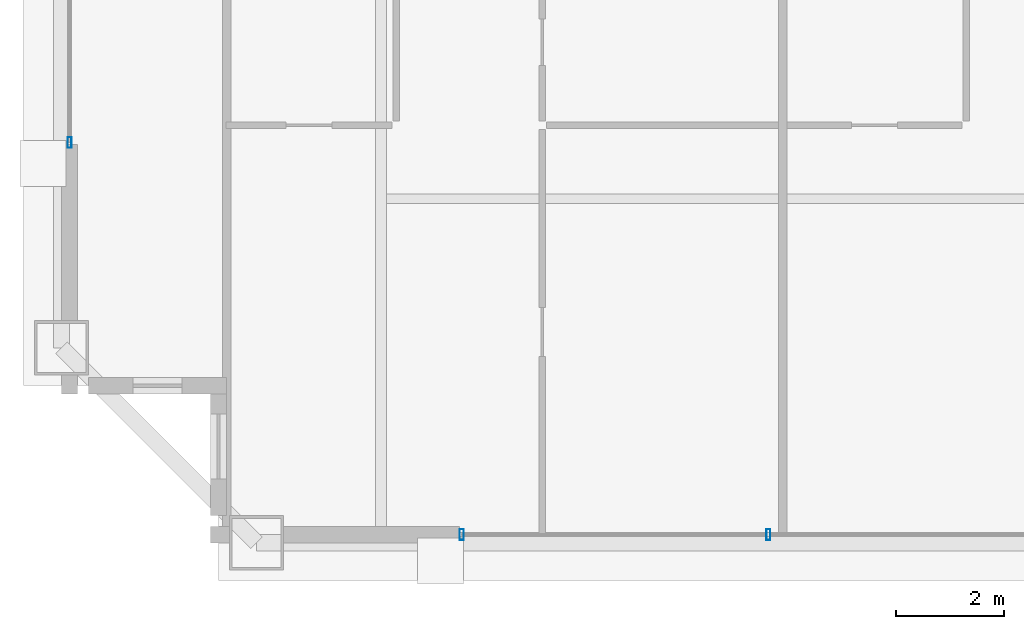
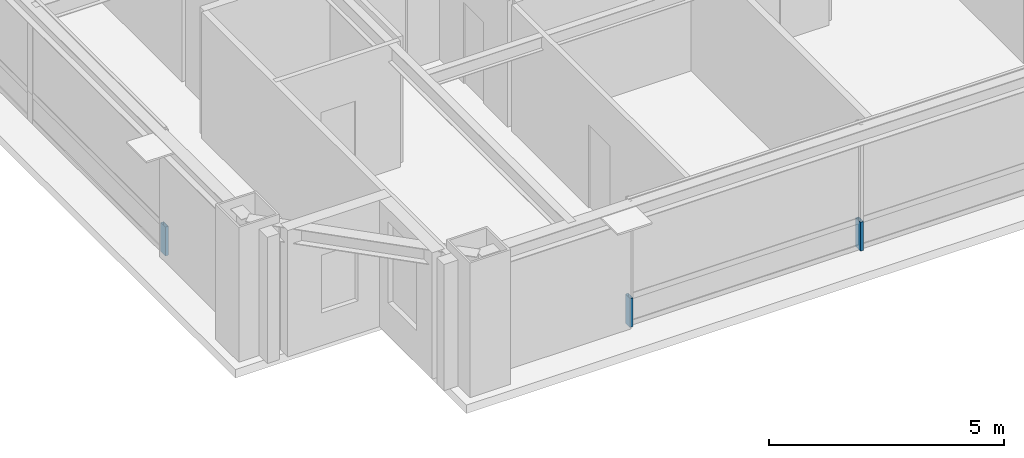
# One storey, part 21 of 35: 3 members, 2 elements without a shape of their own.
"""IFC4 building model written with IfcOpenShell, lengths in metres."""

import ifcopenshell
import ifcopenshell.guid

model = None  # the IFC model being written
_history = None  # IfcOwnerHistory: only IFC2X3 demands one
_inside = {}  # id of a spatial element -> (the spatial element, [elements in it])
_under = {}  # id of a project, library or spatial element -> (it, [spatial elements below it])
_declared = {}  # id of a project -> (the project, [libraries it declares])
_typed = {}  # id of a type object -> (the type object, [elements of that type])
_made_of = {}  # id of a material, layer set ... -> (it, [elements and type objects made of it])


def new_model(schema):
    """Start an empty IFC model of exactly this schema.

    Asked for "IFC4X3", IfcOpenShell would pick the latest addendum, in which some entities
    have other attributes; the version numbers below select the first issue.
    IFC2X3 requires an IfcOwnerHistory on every rooted entity: one is made here for all.
    """
    global model, _history
    if schema == "IFC4X3":
        model = ifcopenshell.file(schema_version=(4, 3, 0, 0))
    else:
        model = ifcopenshell.file(schema=schema)
    _inside.clear()
    _under.clear()
    _declared.clear()
    _typed.clear()
    _made_of.clear()
    _history = None
    if model.schema == "IFC2X3":
        org = make("IfcOrganization", Name="unknown")
        user = make(
            "IfcPersonAndOrganization",
            ThePerson=make("IfcPerson", FamilyName="unknown"),
            TheOrganization=org,
        )
        app = make(
            "IfcApplication",
            ApplicationDeveloper=org,
            Version="unknown",
            ApplicationFullName="unknown",
            ApplicationIdentifier="unknown",
        )
        _history = make(
            "IfcOwnerHistory",
            OwningUser=user,
            OwningApplication=app,
            ChangeAction="ADDED",
            CreationDate=0,
        )
    return model


def make(cls, **values):
    """One entity of the class cls with the attributes given. An attribute that is None is left unset."""
    return model.create_entity(
        cls, **{name: value for name, value in values.items() if value is not None}
    )


def rooted(cls, **values):
    """An entity with a GlobalId (a new one), such as an element, a storey or a relation."""
    return make(cls, GlobalId=ifcopenshell.guid.new(), OwnerHistory=_history, **values)


def si_unit(unit_type, name, prefix=None):
    """IfcSIUnit, for example si_unit("LENGTHUNIT", "METRE", prefix="MILLI")."""
    return make("IfcSIUnit", UnitType=unit_type, Prefix=prefix, Name=name)


def assignment(units):
    """IfcUnitAssignment: the units of a project."""
    return None if units is None else make("IfcUnitAssignment", Units=units)


def point(xyz):
    """IfcCartesianPoint."""
    return None if xyz is None else make("IfcCartesianPoint", Coordinates=xyz)


def direction(xyz):
    """IfcDirection."""
    return None if xyz is None else make("IfcDirection", DirectionRatios=xyz)


def frame(location, z_axis=None, x_axis=None):
    """IfcAxis2Placement3D, a coordinate frame: its origin and axes. An axis left out is left unset."""
    return make(
        "IfcAxis2Placement3D",
        Location=point(location),
        Axis=direction(z_axis),
        RefDirection=direction(x_axis),
    )


def frame_2d(location, x_axis=None):
    """IfcAxis2Placement2D, a coordinate frame in the plane: its origin and x axis."""
    return make(
        "IfcAxis2Placement2D", Location=point(location), RefDirection=direction(x_axis)
    )


def origin():
    """The frame at (0, 0, 0) with its axes left unset."""
    return frame((0.0, 0.0, 0.0))


def origin_2d():
    """The frame at (0, 0) in the plane with its x axis left unset."""
    return frame_2d((0.0, 0.0))


def place(relative_to, where):
    """IfcLocalPlacement: puts the frame where relative to a parent placement (None: the world)."""
    return make(
        "IfcLocalPlacement", PlacementRelTo=relative_to, RelativePlacement=where
    )


def context(
    kind, dimensions, precision=None, world=None, true_north=None, identifier=None
):
    """IfcGeometricRepresentationContext, for example the 3D "Model" context."""
    return make(
        "IfcGeometricRepresentationContext",
        ContextIdentifier=identifier,
        ContextType=kind,
        CoordinateSpaceDimension=dimensions,
        Precision=precision,
        WorldCoordinateSystem=world,
        TrueNorth=true_north,
    )


def subcontext(parent, identifier, kind, view, scale=None):
    """IfcGeometricRepresentationSubContext, for example "Body" below "Model"."""
    return make(
        "IfcGeometricRepresentationSubContext",
        ContextIdentifier=identifier,
        ContextType=kind,
        ParentContext=parent,
        TargetScale=scale,
        TargetView=view,
    )


def project(units=None, contexts=None):
    """IfcProject with its units and contexts."""
    return rooted(
        "IfcProject",
        Name="project",
        RepresentationContexts=contexts,
        UnitsInContext=assignment(units),
    )


def spatial(cls, under=None, at=None, **own):
    """A site, building, storey or space (cls), placed at a placement, below another one or the project."""
    s = rooted(cls, ObjectPlacement=at, **own)
    if under is not None:
        _under.setdefault(under.id(), (under, []))[1].append(s)
    return s


def profile(cls, at=None, kind="AREA", **sizes):
    """A parametric profile (cls). Its sizes go by their IFC names, for example OverallWidth=200.0."""
    return make(cls, ProfileType=kind, Position=at, **sizes)


def hollow_rectangle(**sizes):
    """IfcRectangleHollowProfileDef."""
    return profile("IfcRectangleHollowProfileDef", **sizes)


def extrude(swept, where, along, depth):
    """IfcExtrudedAreaSolid: the profile swept, set in the frame where, extruded along a direction by depth."""
    return make(
        "IfcExtrudedAreaSolid",
        SweptArea=swept,
        Position=where,
        ExtrudedDirection=direction(along),
        Depth=depth,
    )


def shape(context_of_items, identifier, shape_type, items):
    """IfcShapeRepresentation: the items that make up one representation, for example the "Body"."""
    return make(
        "IfcShapeRepresentation",
        ContextOfItems=context_of_items,
        RepresentationIdentifier=identifier,
        RepresentationType=shape_type,
        Items=items,
    )


def source(mapping_origin, context_of_items, identifier, shape_type, items):
    """IfcRepresentationMap: a shape defined once, which mapped items show again and again."""
    return make(
        "IfcRepresentationMap",
        MappingOrigin=mapping_origin,
        MappedRepresentation=shape(context_of_items, identifier, shape_type, items),
    )


def transform(
    local_origin,
    x_axis=None,
    y_axis=None,
    z_axis=None,
    scale=None,
    scale2=None,
    scale3=None,
    uniform=True,
):
    """IfcCartesianTransformationOperator3D, or its non-uniform kind. x_axis, y_axis, z_axis: its Axis1, 2, 3."""
    if uniform:
        return make(
            "IfcCartesianTransformationOperator3D",
            Axis1=direction(x_axis),
            Axis2=direction(y_axis),
            LocalOrigin=point(local_origin),
            Scale=scale,
            Axis3=direction(z_axis),
        )
    return make(
        "IfcCartesianTransformationOperator3DnonUniform",
        Axis1=direction(x_axis),
        Axis2=direction(y_axis),
        LocalOrigin=point(local_origin),
        Scale=scale,
        Axis3=direction(z_axis),
        Scale2=scale2,
        Scale3=scale3,
    )


def mapped(mapping_source, mapping_target):
    """IfcMappedItem: shows the shape of a source again, moved by a transform."""
    return make(
        "IfcMappedItem", MappingSource=mapping_source, MappingTarget=mapping_target
    )


def material(Name=None, Category=None):
    """IfcMaterial."""
    return make("IfcMaterial", Name=Name, Category=Category)


def layer(
    of_material, thickness, ventilated=None, Name=None, Category=None, Priority=None
):
    """IfcMaterialLayer: one layer of a wall or slab, of a material (None: an air gap)."""
    return make(
        "IfcMaterialLayer",
        Material=of_material,
        LayerThickness=thickness,
        IsVentilated=ventilated,
        Name=Name,
        Category=Category,
        Priority=Priority,
    )


def layer_set(layers, Name=None):
    """IfcMaterialLayerSet."""
    return make("IfcMaterialLayerSet", MaterialLayers=layers, LayerSetName=Name)


def material_profile(
    of_material, cross_section, Name=None, Category=None, Priority=None
):
    """IfcMaterialProfile: a cross section and its material."""
    return make(
        "IfcMaterialProfile",
        Name=Name,
        Material=of_material,
        Profile=cross_section,
        Priority=Priority,
        Category=Category,
    )


def profile_set(profiles, Name=None, composite=None):
    """IfcMaterialProfileSet."""
    return make(
        "IfcMaterialProfileSet",
        Name=Name,
        MaterialProfiles=profiles,
        CompositeProfile=composite,
    )


def made_of(thing, what):
    """Note that an element or type object is made of a material, layer set ...; save() writes the relation."""
    if what is not None:
        _made_of.setdefault(what.id(), (what, []))[1].append(thing)
    return thing


def type_object(cls, material=None, **own):
    """A type object (cls), such as IfcWallType, which elements share."""
    return made_of(rooted(cls, **own), material)


def element(
    cls,
    number,
    at=None,
    inside=None,
    cuts=None,
    type_object=None,
    material=None,
    context=None,
    identifier="Body",
    shape_type=None,
    held_by="IfcProductDefinitionShape",
    body=None,
    shapes=None,
    **own,
):
    """One element of the class cls, such as IfcWall. Its Tag is "e" and its number.

    at: its placement. inside: the storey or other place that contains it. cuts: it is an
    opening in that element (IfcRelVoidsElement). A single representation is given by context,
    identifier, shape_type and body (its items); several are given by shapes. held_by: the class
    of the entity that holds the representations. save() writes the other relations.
    """
    e = rooted(cls, Tag="e%d" % number, ObjectPlacement=at, **own)
    if body is not None:
        shapes = [shape(context, identifier, shape_type, body)]
    if shapes is not None:
        e.Representation = make(held_by, Representations=shapes)
    if inside is not None:
        _inside.setdefault(inside.id(), (inside, []))[1].append(e)
    if cuts is not None:
        rooted(
            "IfcRelVoidsElement", RelatingBuildingElement=cuts, RelatedOpeningElement=e
        )
    if type_object is not None:
        _typed.setdefault(type_object.id(), (type_object, []))[1].append(e)
    return made_of(e, material)


def aggregate(whole, parts):
    """IfcRelAggregates: a whole, such as a stair, and the parts it consists of."""
    return rooted("IfcRelAggregates", RelatingObject=whole, RelatedObjects=parts)


def save(model, path):
    """Write the relations noted so far, then the file.

    IfcRelAggregates (storeys below a building ...), IfcRelContainedInSpatialStructure (elements
    in a storey), IfcRelDefinesByType, IfcRelAssociatesMaterial and IfcRelDeclares: one each for
    every whole, place, type object, material and project.
    """
    for whole, parts in _under.values():
        aggregate(whole, parts)
    for where, things in _inside.values():
        rooted(
            "IfcRelContainedInSpatialStructure",
            RelatedElements=things,
            RelatingStructure=where,
        )
    for kind, things in _typed.values():
        rooted("IfcRelDefinesByType", RelatedObjects=things, RelatingType=kind)
    for what, things in _made_of.values():
        rooted("IfcRelAssociatesMaterial", RelatedObjects=things, RelatingMaterial=what)
    for by, libraries in _declared.values():
        rooted("IfcRelDeclares", RelatingContext=by, RelatedDefinitions=libraries)
    model.write(path)


model = new_model("IFC4")

# Units and contexts
model_context = context("Model", 3, precision=1e-05, world=origin(), true_north=direction((0.0, 1.0)))
body_context = subcontext(model_context, "Body", "Model", "MODEL_VIEW")
ifc_project = project(units=[si_unit("LENGTHUNIT", "METRE"), si_unit("AREAUNIT", "SQUARE_METRE"), si_unit("VOLUMEUNIT", "CUBIC_METRE"), si_unit("PLANEANGLEUNIT", "RADIAN"), si_unit("MASSUNIT", "GRAM", prefix="KILO"), si_unit("THERMODYNAMICTEMPERATUREUNIT", "KELVIN"), si_unit("POWERUNIT", "WATT")], contexts=[model_context])

# Site, building, storey
site_placement = place(None, origin())
site = spatial("IfcSite", under=ifc_project, at=site_placement, CompositionType="ELEMENT")
building_placement = place(site_placement, origin())
building = spatial("IfcBuilding", under=site, at=building_placement, Name="Yuzanri Waterfront Tower", CompositionType="ELEMENT")
storey_placement = place(building_placement, frame((0.0, 0.0, 318.199951171875)))
storey = spatial("IfcBuildingStorey", under=building, at=storey_placement, Name="L85", CompositionType="ELEMENT", Elevation=318.199951171875)

# Curtain wall, members
ifc_material_1 = material(Name="Anodized Architectural Bronze", Category="metal")
ifc_layer = layer(ifc_material_1, 0.159912109375)
ifc_layer_set = layer_set([ifc_layer], Name="Anodized Architectural Bronze")
curtain_wall_type = type_object("IfcCurtainWallType", Name="Anodized Bronze High-Rise Penthouse High-Wind Unitized Curtain Wall 6900", PredefinedType="NOTDEFINED", material=ifc_layer_set)
curtain_wall_1_placement = place(storey_placement, origin())
curtain_wall_1 = element("IfcCurtainWall", 1, at=curtain_wall_1_placement, inside=storey, type_object=curtain_wall_type, Name="L85 Curtain Wall CW-L85-SL", PredefinedType="NOTDEFINED")
ifc_material_2 = material(Name="Anodized Architectural Bronze", Category="metal")
ifc_material_profile = material_profile(ifc_material_2, hollow_rectangle(XDim=0.074951171875, YDim=0.199951171875, WallThickness=0.00390625, at=origin_2d()), Name="CWM 75x200")
ifc_profile_set = profile_set([ifc_material_profile], Name="Anodized Architectural Bronze")
member_type = type_object("IfcMemberType", Name="Anodized Bronze Primary Curtain-Wall Mullion 75x200", PredefinedType="MULLION", material=ifc_profile_set)
shared_shape = source(origin(), body_context, "Body", "SweptSolid", [
    extrude(hollow_rectangle(XDim=0.074951171875, YDim=0.199951171875, WallThickness=0.00390625, at=origin_2d()), origin(), (0.0, 0.0, 1.0), 0.751953125),
])
member_1_placement = place(storey_placement, frame((25.2900390625, 6.85009765625, 0.0), z_axis=(0.0, 0.0, 1.0), x_axis=(1.0, 0.0, 0.0)))
member_1 = element("IfcMember", 2, at=member_1_placement, type_object=member_type, Name="CW-L85-SL Lower Mullion 00", PredefinedType="MULLION", context=body_context, shape_type="MappedRepresentation", body=[
    mapped(shared_shape, transform((0.0, 0.0, 0.0), scale=1.0)),
])
member_2_placement = place(storey_placement, frame((30.949951171875, 6.85009765625, 0.0), z_axis=(0.0, 0.0, 1.0), x_axis=(1.0, 0.0, 0.0)))
member_2 = element("IfcMember", 3, at=member_2_placement, type_object=member_type, Name="CW-L85-SL Lower Mullion 01", PredefinedType="MULLION", context=body_context, shape_type="MappedRepresentation", body=[
    mapped(shared_shape, transform((0.0, 0.0, 0.0), scale=1.0)),
])
aggregate(curtain_wall_1, [member_1, member_2])

# Curtain wall, member
curtain_wall_2_placement = place(storey_placement, origin())
curtain_wall_2 = element("IfcCurtainWall", 4, at=curtain_wall_2_placement, inside=storey, type_object=curtain_wall_type, Name="L85 Curtain Wall CW-L85-WL", PredefinedType="NOTDEFINED")
member_3_placement = place(storey_placement, frame((18.050048828125, 14.090087890625, 0.0), z_axis=(0.0, 0.0, 1.0), x_axis=(1.0, 0.0, 0.0)))
member_3 = element("IfcMember", 5, at=member_3_placement, type_object=member_type, Name="CW-L85-WL Lower Mullion 00", PredefinedType="MULLION", context=body_context, shape_type="MappedRepresentation", body=[
    mapped(shared_shape, transform((0.0, 0.0, 0.0), scale=1.0)),
])
aggregate(curtain_wall_2, [member_3])

save(model, "model.ifc")
